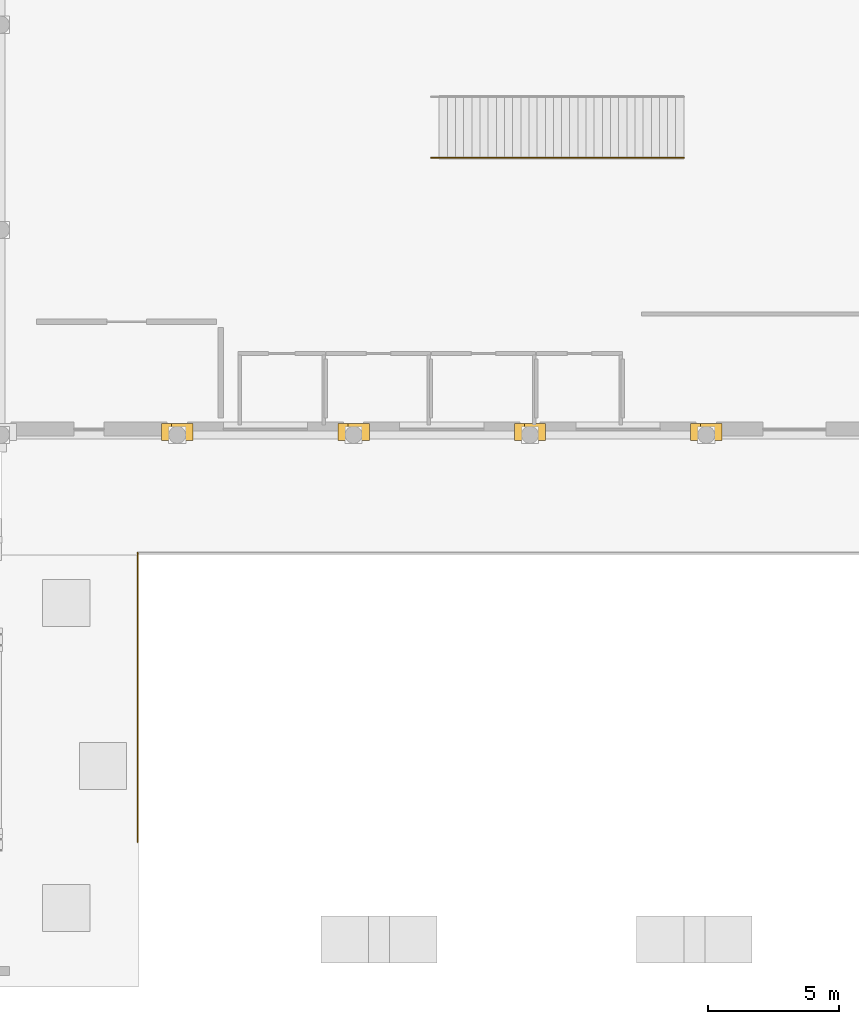
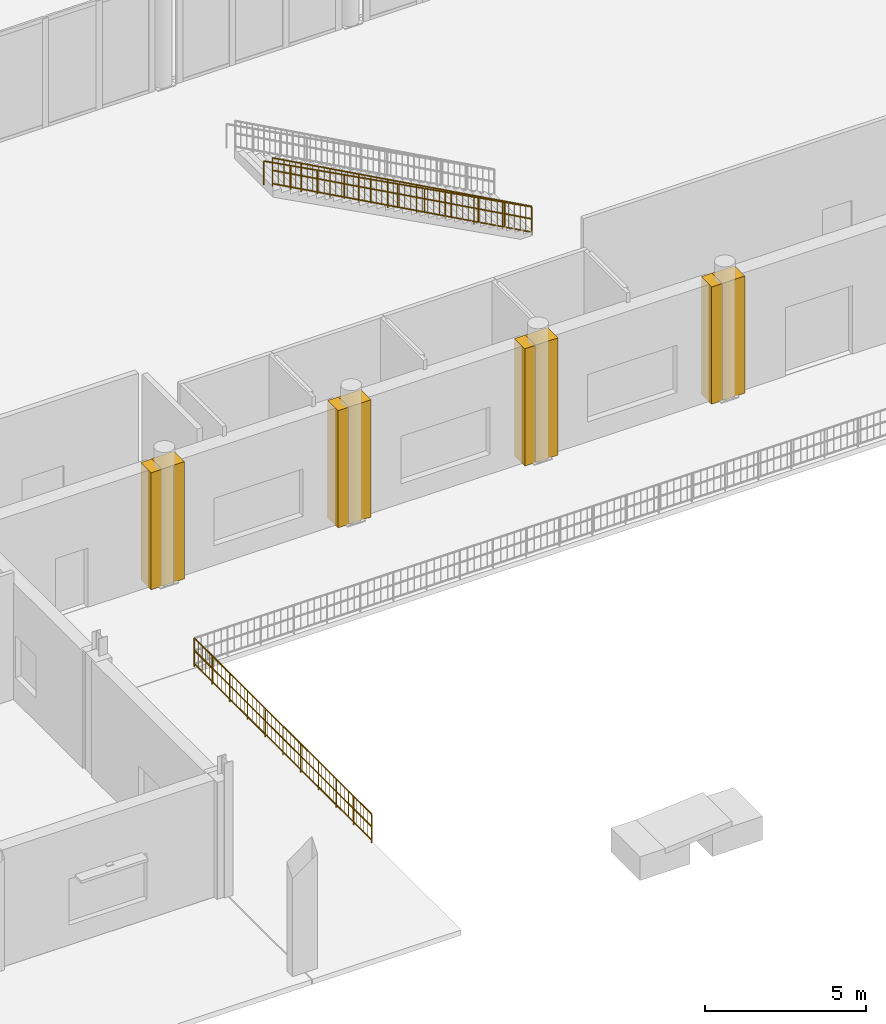
# One storey, part 70 of 80: 8 coverings, 3 railings.
"""IFC4 building model written with IfcOpenShell, lengths in metres."""

import ifcopenshell
import ifcopenshell.guid

model = None  # the IFC model being written
_history = None  # IfcOwnerHistory: only IFC2X3 demands one
_inside = {}  # id of a spatial element -> (the spatial element, [elements in it])
_under = {}  # id of a project, library or spatial element -> (it, [spatial elements below it])
_declared = {}  # id of a project -> (the project, [libraries it declares])
_typed = {}  # id of a type object -> (the type object, [elements of that type])
_made_of = {}  # id of a material, layer set ... -> (it, [elements and type objects made of it])


def new_model(schema):
    """Start an empty IFC model of exactly this schema.

    Asked for "IFC4X3", IfcOpenShell would pick the latest addendum, in which some entities
    have other attributes; the version numbers below select the first issue.
    IFC2X3 requires an IfcOwnerHistory on every rooted entity: one is made here for all.
    """
    global model, _history
    if schema == "IFC4X3":
        model = ifcopenshell.file(schema_version=(4, 3, 0, 0))
    else:
        model = ifcopenshell.file(schema=schema)
    _inside.clear()
    _under.clear()
    _declared.clear()
    _typed.clear()
    _made_of.clear()
    _history = None
    if model.schema == "IFC2X3":
        org = make("IfcOrganization", Name="unknown")
        user = make(
            "IfcPersonAndOrganization",
            ThePerson=make("IfcPerson", FamilyName="unknown"),
            TheOrganization=org,
        )
        app = make(
            "IfcApplication",
            ApplicationDeveloper=org,
            Version="unknown",
            ApplicationFullName="unknown",
            ApplicationIdentifier="unknown",
        )
        _history = make(
            "IfcOwnerHistory",
            OwningUser=user,
            OwningApplication=app,
            ChangeAction="ADDED",
            CreationDate=0,
        )
    return model


def make(cls, **values):
    """One entity of the class cls with the attributes given. An attribute that is None is left unset."""
    return model.create_entity(
        cls, **{name: value for name, value in values.items() if value is not None}
    )


def rooted(cls, **values):
    """An entity with a GlobalId (a new one), such as an element, a storey or a relation."""
    return make(cls, GlobalId=ifcopenshell.guid.new(), OwnerHistory=_history, **values)


def si_unit(unit_type, name, prefix=None):
    """IfcSIUnit, for example si_unit("LENGTHUNIT", "METRE", prefix="MILLI")."""
    return make("IfcSIUnit", UnitType=unit_type, Prefix=prefix, Name=name)


def assignment(units):
    """IfcUnitAssignment: the units of a project."""
    return None if units is None else make("IfcUnitAssignment", Units=units)


def point(xyz):
    """IfcCartesianPoint."""
    return None if xyz is None else make("IfcCartesianPoint", Coordinates=xyz)


def direction(xyz):
    """IfcDirection."""
    return None if xyz is None else make("IfcDirection", DirectionRatios=xyz)


def frame(location, z_axis=None, x_axis=None):
    """IfcAxis2Placement3D, a coordinate frame: its origin and axes. An axis left out is left unset."""
    return make(
        "IfcAxis2Placement3D",
        Location=point(location),
        Axis=direction(z_axis),
        RefDirection=direction(x_axis),
    )


def frame_2d(location, x_axis=None):
    """IfcAxis2Placement2D, a coordinate frame in the plane: its origin and x axis."""
    return make(
        "IfcAxis2Placement2D", Location=point(location), RefDirection=direction(x_axis)
    )


def origin():
    """The frame at (0, 0, 0) with its axes left unset."""
    return frame((0.0, 0.0, 0.0))


def origin_2d():
    """The frame at (0, 0) in the plane with its x axis left unset."""
    return frame_2d((0.0, 0.0))


def place(relative_to, where):
    """IfcLocalPlacement: puts the frame where relative to a parent placement (None: the world)."""
    return make(
        "IfcLocalPlacement", PlacementRelTo=relative_to, RelativePlacement=where
    )


def context(
    kind, dimensions, precision=None, world=None, true_north=None, identifier=None
):
    """IfcGeometricRepresentationContext, for example the 3D "Model" context."""
    return make(
        "IfcGeometricRepresentationContext",
        ContextIdentifier=identifier,
        ContextType=kind,
        CoordinateSpaceDimension=dimensions,
        Precision=precision,
        WorldCoordinateSystem=world,
        TrueNorth=true_north,
    )


def subcontext(parent, identifier, kind, view, scale=None):
    """IfcGeometricRepresentationSubContext, for example "Body" below "Model"."""
    return make(
        "IfcGeometricRepresentationSubContext",
        ContextIdentifier=identifier,
        ContextType=kind,
        ParentContext=parent,
        TargetScale=scale,
        TargetView=view,
    )


def project(units=None, contexts=None):
    """IfcProject with its units and contexts."""
    return rooted(
        "IfcProject",
        Name="project",
        RepresentationContexts=contexts,
        UnitsInContext=assignment(units),
    )


def spatial(cls, under=None, at=None, **own):
    """A site, building, storey or space (cls), placed at a placement, below another one or the project."""
    s = rooted(cls, ObjectPlacement=at, **own)
    if under is not None:
        _under.setdefault(under.id(), (under, []))[1].append(s)
    return s


def polyline(points):
    """IfcPolyline through the points."""
    return make("IfcPolyline", Points=[point(p) for p in points])


def profile(cls, at=None, kind="AREA", **sizes):
    """A parametric profile (cls). Its sizes go by their IFC names, for example OverallWidth=200.0."""
    return make(cls, ProfileType=kind, Position=at, **sizes)


def circle(**sizes):
    """IfcCircleProfileDef."""
    return profile("IfcCircleProfileDef", **sizes)


def outline(outer, holes=None, kind="AREA"):
    """IfcArbitraryClosedProfileDef: a profile drawn as a closed curve; with holes, ...WithVoids."""
    if holes is None:
        return make("IfcArbitraryClosedProfileDef", ProfileType=kind, OuterCurve=outer)
    return make(
        "IfcArbitraryProfileDefWithVoids",
        ProfileType=kind,
        OuterCurve=outer,
        InnerCurves=holes,
    )


def extrude(swept, where, along, depth):
    """IfcExtrudedAreaSolid: the profile swept, set in the frame where, extruded along a direction by depth."""
    return make(
        "IfcExtrudedAreaSolid",
        SweptArea=swept,
        Position=where,
        ExtrudedDirection=direction(along),
        Depth=depth,
    )


def shape(context_of_items, identifier, shape_type, items):
    """IfcShapeRepresentation: the items that make up one representation, for example the "Body"."""
    return make(
        "IfcShapeRepresentation",
        ContextOfItems=context_of_items,
        RepresentationIdentifier=identifier,
        RepresentationType=shape_type,
        Items=items,
    )


def material(Name=None, Category=None):
    """IfcMaterial."""
    return make("IfcMaterial", Name=Name, Category=Category)


def layer(
    of_material, thickness, ventilated=None, Name=None, Category=None, Priority=None
):
    """IfcMaterialLayer: one layer of a wall or slab, of a material (None: an air gap)."""
    return make(
        "IfcMaterialLayer",
        Material=of_material,
        LayerThickness=thickness,
        IsVentilated=ventilated,
        Name=Name,
        Category=Category,
        Priority=Priority,
    )


def layer_set(layers, Name=None):
    """IfcMaterialLayerSet."""
    return make("IfcMaterialLayerSet", MaterialLayers=layers, LayerSetName=Name)


def made_of(thing, what):
    """Note that an element or type object is made of a material, layer set ...; save() writes the relation."""
    if what is not None:
        _made_of.setdefault(what.id(), (what, []))[1].append(thing)
    return thing


def type_object(cls, material=None, **own):
    """A type object (cls), such as IfcWallType, which elements share."""
    return made_of(rooted(cls, **own), material)


def element(
    cls,
    number,
    at=None,
    inside=None,
    cuts=None,
    type_object=None,
    material=None,
    context=None,
    identifier="Body",
    shape_type=None,
    held_by="IfcProductDefinitionShape",
    body=None,
    shapes=None,
    **own,
):
    """One element of the class cls, such as IfcWall. Its Tag is "e" and its number.

    at: its placement. inside: the storey or other place that contains it. cuts: it is an
    opening in that element (IfcRelVoidsElement). A single representation is given by context,
    identifier, shape_type and body (its items); several are given by shapes. held_by: the class
    of the entity that holds the representations. save() writes the other relations.
    """
    e = rooted(cls, Tag="e%d" % number, ObjectPlacement=at, **own)
    if body is not None:
        shapes = [shape(context, identifier, shape_type, body)]
    if shapes is not None:
        e.Representation = make(held_by, Representations=shapes)
    if inside is not None:
        _inside.setdefault(inside.id(), (inside, []))[1].append(e)
    if cuts is not None:
        rooted(
            "IfcRelVoidsElement", RelatingBuildingElement=cuts, RelatedOpeningElement=e
        )
    if type_object is not None:
        _typed.setdefault(type_object.id(), (type_object, []))[1].append(e)
    return made_of(e, material)


def aggregate(whole, parts):
    """IfcRelAggregates: a whole, such as a stair, and the parts it consists of."""
    return rooted("IfcRelAggregates", RelatingObject=whole, RelatedObjects=parts)


def save(model, path):
    """Write the relations noted so far, then the file.

    IfcRelAggregates (storeys below a building ...), IfcRelContainedInSpatialStructure (elements
    in a storey), IfcRelDefinesByType, IfcRelAssociatesMaterial and IfcRelDeclares: one each for
    every whole, place, type object, material and project.
    """
    for whole, parts in _under.values():
        aggregate(whole, parts)
    for where, things in _inside.values():
        rooted(
            "IfcRelContainedInSpatialStructure",
            RelatedElements=things,
            RelatingStructure=where,
        )
    for kind, things in _typed.values():
        rooted("IfcRelDefinesByType", RelatedObjects=things, RelatingType=kind)
    for what, things in _made_of.values():
        rooted("IfcRelAssociatesMaterial", RelatedObjects=things, RelatingMaterial=what)
    for by, libraries in _declared.values():
        rooted("IfcRelDeclares", RelatingContext=by, RelatedDefinitions=libraries)
    model.write(path)


model = new_model("IFC4")

# Units and contexts
model_context = context("Model", 3, precision=1e-05, world=origin(), true_north=direction((0.0, 1.0)))
body_context = subcontext(model_context, "Body", "Model", "MODEL_VIEW")
ifc_project = project(units=[si_unit("LENGTHUNIT", "METRE"), si_unit("AREAUNIT", "SQUARE_METRE"), si_unit("VOLUMEUNIT", "CUBIC_METRE"), si_unit("PLANEANGLEUNIT", "RADIAN"), si_unit("MASSUNIT", "GRAM", prefix="KILO")], contexts=[model_context])

# Site, building, storey
site_placement = place(None, origin())
site = spatial("IfcSite", under=ifc_project, at=site_placement, CompositionType="ELEMENT")
building_placement = place(site_placement, origin())
building = spatial("IfcBuilding", under=site, at=building_placement, Name="Nabrawat Pavilion Hospital", CompositionType="ELEMENT")
storey_placement = place(building_placement, origin())
storey = spatial("IfcBuildingStorey", under=building, at=storey_placement, Name="L00", CompositionType="ELEMENT", Elevation=0.0)

# Coverings
ifc_material_1 = material(Name="Precast concrete C40/50", Category="concrete")
ifc_layer_1 = layer(ifc_material_1, 0.360107421875, Name="Precast concrete C40/50")
ifc_layer_set_1 = layer_set([ifc_layer_1], Name="Precast concrete C40/50")
covering_type = type_object("IfcCoveringType", Name="Architectural Precast Column-Jamb Closure Reveal", PredefinedType="CLADDING", material=ifc_layer_set_1)
covering_1_placement = place(storey_placement, origin())
element("IfcCovering", 1, at=covering_1_placement, inside=storey, type_object=covering_type, Name="L00 Precast Facade Column-Jamb Weatherseal Closure 0064", PredefinedType="CLADDING", context=body_context, shape_type="SweptSolid", body=[
    extrude(outline(polyline([(65.83935546875, 15.388671875), (65.83935546875, 16.03125), (65.03173828125, 16.03125), (65.03173828125, 15.388671875), (65.83935546875, 15.388671875)])), origin(), (0.0, 0.0, 1.0), 4.43994140625),
])
covering_2_placement = place(storey_placement, origin())
element("IfcCovering", 2, at=covering_2_placement, inside=storey, type_object=covering_type, Name="L00 Precast Facade Column-Jamb Weatherseal Closure 0065", PredefinedType="CLADDING", context=body_context, shape_type="SweptSolid", body=[
    extrude(outline(polyline([(66.224365234375, 15.388671875), (66.224365234375, 16.03125), (65.416748046875, 16.03125), (65.416748046875, 15.388671875), (66.224365234375, 15.388671875)])), origin(), (0.0, 0.0, 1.0), 4.449951171875),
])
covering_3_placement = place(storey_placement, origin())
element("IfcCovering", 3, at=covering_3_placement, inside=storey, type_object=covering_type, Name="L00 Precast Facade Column-Jamb Weatherseal Closure 0066", PredefinedType="CLADDING", context=body_context, shape_type="SweptSolid", body=[
    extrude(outline(polyline([(72.54736328125, 15.388671875), (72.54736328125, 16.03125), (71.73974609375, 16.03125), (71.73974609375, 15.388671875), (72.54736328125, 15.388671875)])), origin(), (0.0, 0.0, 1.0), 4.449951171875),
])
covering_4_placement = place(storey_placement, origin())
element("IfcCovering", 4, at=covering_4_placement, inside=storey, type_object=covering_type, Name="L00 Precast Facade Column-Jamb Weatherseal Closure 0067", PredefinedType="CLADDING", context=body_context, shape_type="SweptSolid", body=[
    extrude(outline(polyline([(72.932373046875, 15.388671875), (72.932373046875, 16.03125), (72.124755859375, 16.03125), (72.124755859375, 15.388671875), (72.932373046875, 15.388671875)])), origin(), (0.0, 0.0, 1.0), 4.449951171875),
])
covering_5_placement = place(storey_placement, origin())
element("IfcCovering", 5, at=covering_5_placement, inside=storey, type_object=covering_type, Name="L00 Precast Facade Column-Jamb Weatherseal Closure 0068", PredefinedType="CLADDING", context=body_context, shape_type="SweptSolid", body=[
    extrude(outline(polyline([(79.25537109375, 15.388671875), (79.25537109375, 16.03125), (78.44775390625, 16.03125), (78.44775390625, 15.388671875), (79.25537109375, 15.388671875)])), origin(), (0.0, 0.0, 1.0), 4.449951171875),
])
covering_6_placement = place(storey_placement, origin())
element("IfcCovering", 6, at=covering_6_placement, inside=storey, type_object=covering_type, Name="L00 Precast Facade Column-Jamb Weatherseal Closure 0069", PredefinedType="CLADDING", context=body_context, shape_type="SweptSolid", body=[
    extrude(outline(polyline([(79.640380859375, 15.388671875), (79.640380859375, 16.03125), (78.832763671875, 16.03125), (78.832763671875, 15.388671875), (79.640380859375, 15.388671875)])), origin(), (0.0, 0.0, 1.0), 4.449951171875),
])
covering_7_placement = place(storey_placement, origin())
element("IfcCovering", 7, at=covering_7_placement, inside=storey, type_object=covering_type, Name="L00 Precast Facade Column-Jamb Weatherseal Closure 0070", PredefinedType="CLADDING", context=body_context, shape_type="SweptSolid", body=[
    extrude(outline(polyline([(85.96337890625, 15.388671875), (85.96337890625, 16.03125), (85.15576171875, 16.03125), (85.15576171875, 15.388671875), (85.96337890625, 15.388671875)])), origin(), (0.0, 0.0, 1.0), 4.449951171875),
])
covering_8_placement = place(storey_placement, origin())
element("IfcCovering", 8, at=covering_8_placement, inside=storey, type_object=covering_type, Name="L00 Precast Facade Column-Jamb Weatherseal Closure 0071", PredefinedType="CLADDING", context=body_context, shape_type="SweptSolid", body=[
    extrude(outline(polyline([(86.348388671875, 15.388671875), (86.348388671875, 16.03125), (85.540771484375, 16.03125), (85.540771484375, 15.388671875), (86.348388671875, 15.388671875)])), origin(), (0.0, 0.0, 1.0), 4.449951171875),
])

# Railings
ifc_material_2 = material(Name="Stainless Steel 316", Category="steel")
ifc_layer_2 = layer(ifc_material_2, 0.070068359375, Name="Stainless Steel 316")
ifc_layer_set_2 = layer_set([ifc_layer_2], Name="Stainless Steel 316")
railing_type_1 = type_object("IfcRailingType", Name="Exterior Clinical Terrace Safety Guardrail 1100", PredefinedType="GUARDRAIL", material=ifc_layer_set_2)
railing_1_placement = place(storey_placement, frame((64.1201171875, 0.10009765625, 0.0)))
element("IfcRailing", 9, at=railing_1_placement, inside=storey, type_object=railing_type_1, Name="L00 Sunken Forecourt Overlook Guardrail West", PredefinedType="GUARDRAIL", context=body_context, shape_type="SweptSolid", body=[
    extrude(circle(Radius=0.02392578125, at=origin_2d()), frame((0.0, 0.0, 1.076171875), z_axis=(0.0, 1.0, 0.0), x_axis=(-1.0, 0.0, 0.0)), (0.0, 0.0, 1.0), 11.02001953125),
    extrude(circle(Radius=0.02392578125, at=origin_2d()), frame((0.0, 0.0, 0.10009765625), z_axis=(0.0, 1.0, 0.0), x_axis=(-1.0, 0.0, 0.0)), (0.0, 0.0, 1.0), 11.02001953125),
    extrude(circle(Radius=0.02392578125, at=origin_2d()), frame((0.0, 0.0, 0.60498046875), z_axis=(0.0, 1.0, 0.0), x_axis=(-1.0, 0.0, 0.0)), (0.0, 0.0, 1.0), 11.02001953125),
    extrude(circle(Radius=0.008056640625, at=origin_2d()), frame((0.0, 0.239501953125, 0.10009765625)), (0.0, 0.0, 1.0), 0.951904296875),
    extrude(circle(Radius=0.008056640625, at=origin_2d()), frame((0.0, 0.479248046875, 0.10009765625)), (0.0, 0.0, 1.0), 0.951904296875),
    extrude(circle(Radius=0.008056640625, at=origin_2d()), frame((0.0, 0.71875, 0.10009765625)), (0.0, 0.0, 1.0), 0.951904296875),
    extrude(circle(Radius=0.008056640625, at=origin_2d()), frame((0.0, 0.958251953125, 0.10009765625)), (0.0, 0.0, 1.0), 0.951904296875),
    extrude(circle(Radius=0.008056640625, at=origin_2d()), frame((0.0, 1.19775390625, 0.10009765625)), (0.0, 0.0, 1.0), 0.951904296875),
    extrude(circle(Radius=0.008056640625, at=origin_2d()), frame((0.0, 1.4375, 0.10009765625)), (0.0, 0.0, 1.0), 0.951904296875),
    extrude(circle(Radius=0.008056640625, at=origin_2d()), frame((0.0, 1.677001953125, 0.10009765625)), (0.0, 0.0, 1.0), 0.951904296875),
    extrude(circle(Radius=0.008056640625, at=origin_2d()), frame((0.0, 1.91650390625, 0.10009765625)), (0.0, 0.0, 1.0), 0.951904296875),
    extrude(circle(Radius=0.008056640625, at=origin_2d()), frame((0.0, 2.395751953125, 0.10009765625)), (0.0, 0.0, 1.0), 0.951904296875),
    extrude(circle(Radius=0.008056640625, at=origin_2d()), frame((0.0, 2.63525390625, 0.10009765625)), (0.0, 0.0, 1.0), 0.951904296875),
    extrude(circle(Radius=0.008056640625, at=origin_2d()), frame((0.0, 2.874755859375, 0.10009765625)), (0.0, 0.0, 1.0), 0.951904296875),
    extrude(circle(Radius=0.008056640625, at=origin_2d()), frame((0.0, 3.1142578125, 0.10009765625)), (0.0, 0.0, 1.0), 0.951904296875),
    extrude(circle(Radius=0.008056640625, at=origin_2d()), frame((0.0, 3.593505859375, 0.10009765625)), (0.0, 0.0, 1.0), 0.951904296875),
    extrude(circle(Radius=0.008056640625, at=origin_2d()), frame((0.0, 3.8330078125, 0.10009765625)), (0.0, 0.0, 1.0), 0.951904296875),
    extrude(circle(Radius=0.008056640625, at=origin_2d()), frame((0.0, 4.072509765625, 0.10009765625)), (0.0, 0.0, 1.0), 0.951904296875),
    extrude(circle(Radius=0.008056640625, at=origin_2d()), frame((0.0, 4.312255859375, 0.10009765625)), (0.0, 0.0, 1.0), 0.951904296875),
    extrude(circle(Radius=0.008056640625, at=origin_2d()), frame((0.0, 4.5517578125, 0.10009765625)), (0.0, 0.0, 1.0), 0.951904296875),
    extrude(circle(Radius=0.008056640625, at=origin_2d()), frame((0.0, 4.791259765625, 0.10009765625)), (0.0, 0.0, 1.0), 0.951904296875),
    extrude(circle(Radius=0.008056640625, at=origin_2d()), frame((0.0, 5.03076171875, 0.10009765625)), (0.0, 0.0, 1.0), 0.951904296875),
    extrude(circle(Radius=0.008056640625, at=origin_2d()), frame((0.0, 5.2705078125, 0.10009765625)), (0.0, 0.0, 1.0), 0.951904296875),
    extrude(circle(Radius=0.008056640625, at=origin_2d()), frame((0.0, 5.74951171875, 0.10009765625)), (0.0, 0.0, 1.0), 0.951904296875),
    extrude(circle(Radius=0.008056640625, at=origin_2d()), frame((0.0, 5.9892578125, 0.10009765625)), (0.0, 0.0, 1.0), 0.951904296875),
    extrude(circle(Radius=0.008056640625, at=origin_2d()), frame((0.0, 6.228759765625, 0.10009765625)), (0.0, 0.0, 1.0), 0.951904296875),
    extrude(circle(Radius=0.008056640625, at=origin_2d()), frame((0.0, 6.46826171875, 0.10009765625)), (0.0, 0.0, 1.0), 0.951904296875),
    extrude(circle(Radius=0.008056640625, at=origin_2d()), frame((0.0, 6.707763671875, 0.10009765625)), (0.0, 0.0, 1.0), 0.951904296875),
    extrude(circle(Radius=0.008056640625, at=origin_2d()), frame((0.0, 6.947509765625, 0.10009765625)), (0.0, 0.0, 1.0), 0.951904296875),
    extrude(circle(Radius=0.008056640625, at=origin_2d()), frame((0.0, 7.18701171875, 0.10009765625)), (0.0, 0.0, 1.0), 0.951904296875),
    extrude(circle(Radius=0.008056640625, at=origin_2d()), frame((0.0, 7.426513671875, 0.10009765625)), (0.0, 0.0, 1.0), 0.951904296875),
    extrude(circle(Radius=0.008056640625, at=origin_2d()), frame((0.0, 7.90576171875, 0.10009765625)), (0.0, 0.0, 1.0), 0.951904296875),
    extrude(circle(Radius=0.008056640625, at=origin_2d()), frame((0.0, 8.145263671875, 0.10009765625)), (0.0, 0.0, 1.0), 0.951904296875),
    extrude(circle(Radius=0.008056640625, at=origin_2d()), frame((0.0, 8.384765625, 0.10009765625)), (0.0, 0.0, 1.0), 0.951904296875),
    extrude(circle(Radius=0.008056640625, at=origin_2d()), frame((0.0, 8.624267578125, 0.10009765625)), (0.0, 0.0, 1.0), 0.951904296875),
    extrude(circle(Radius=0.008056640625, at=origin_2d()), frame((0.0, 9.103515625, 0.10009765625)), (0.0, 0.0, 1.0), 0.951904296875),
    extrude(circle(Radius=0.008056640625, at=origin_2d()), frame((0.0, 9.343017578125, 0.10009765625)), (0.0, 0.0, 1.0), 0.951904296875),
    extrude(circle(Radius=0.008056640625, at=origin_2d()), frame((0.0, 9.58251953125, 0.10009765625)), (0.0, 0.0, 1.0), 0.951904296875),
    extrude(circle(Radius=0.008056640625, at=origin_2d()), frame((0.0, 9.822265625, 0.10009765625)), (0.0, 0.0, 1.0), 0.951904296875),
    extrude(circle(Radius=0.008056640625, at=origin_2d()), frame((0.0, 10.061767578125, 0.10009765625)), (0.0, 0.0, 1.0), 0.951904296875),
    extrude(circle(Radius=0.008056640625, at=origin_2d()), frame((0.0, 10.30126953125, 0.10009765625)), (0.0, 0.0, 1.0), 0.951904296875),
    extrude(circle(Radius=0.008056640625, at=origin_2d()), frame((0.0, 10.540771484375, 0.10009765625)), (0.0, 0.0, 1.0), 0.951904296875),
    extrude(circle(Radius=0.008056640625, at=origin_2d()), frame((0.0, 10.780517578125, 0.10009765625)), (0.0, 0.0, 1.0), 0.951904296875),
    extrude(circle(Radius=0.02099609375, at=origin_2d()), origin(), (0.0, 0.0, 1.0), 1.052001953125),
    extrude(circle(Radius=0.02099609375, at=origin_2d()), frame((0.0, 1.10205078125, 0.0)), (0.0, 0.0, 1.0), 1.052001953125),
    extrude(circle(Radius=0.02099609375, at=origin_2d()), frame((0.0, 2.2041015625, 0.0)), (0.0, 0.0, 1.0), 1.052001953125),
    extrude(circle(Radius=0.02099609375, at=origin_2d()), frame((0.0, 3.305908203125, 0.0)), (0.0, 0.0, 1.0), 1.052001953125),
    extrude(circle(Radius=0.02099609375, at=origin_2d()), frame((0.0, 4.407958984375, 0.0)), (0.0, 0.0, 1.0), 1.052001953125),
    extrude(circle(Radius=0.02099609375, at=origin_2d()), frame((0.0, 5.510009765625, 0.0)), (0.0, 0.0, 1.0), 1.052001953125),
    extrude(circle(Radius=0.02099609375, at=origin_2d()), frame((0.0, 6.612060546875, 0.0)), (0.0, 0.0, 1.0), 1.052001953125),
    extrude(circle(Radius=0.02099609375, at=origin_2d()), frame((0.0, 7.714111328125, 0.0)), (0.0, 0.0, 1.0), 1.052001953125),
    extrude(circle(Radius=0.02099609375, at=origin_2d()), frame((0.0, 8.81591796875, 0.0)), (0.0, 0.0, 1.0), 1.052001953125),
    extrude(circle(Radius=0.02099609375, at=origin_2d()), frame((0.0, 9.91796875, 0.0)), (0.0, 0.0, 1.0), 1.052001953125),
    extrude(circle(Radius=0.02099609375, at=origin_2d()), frame((0.0, 11.02001953125, 0.0)), (0.0, 0.0, 1.0), 1.052001953125),
])
ifc_layer_3 = layer(ifc_material_2, 0.050048828125, Name="Stainless Steel 316")
ifc_layer_set_3 = layer_set([ifc_layer_3], Name="Stainless Steel 316")
railing_type_2 = type_object("IfcRailingType", Name="Stair Open-Well Safety Guardrail 1100", PredefinedType="GUARDRAIL", material=ifc_layer_set_3)
railing_2_placement = place(storey_placement, frame((84.89990234375, 26.139892578125, 0.0)))
element("IfcRailing", 10, at=railing_2_placement, inside=storey, type_object=railing_type_2, Name="L00 Main Concourse Monumental Gallery Stair Open-Edge Guardrail L", PredefinedType="GUARDRAIL", context=body_context, shape_type="SweptSolid", body=[
    extrude(circle(Radius=0.02392578125, at=origin_2d()), frame((0.0, 0.0, 1.076171875), z_axis=(-0.876915962566, 0.0, 0.480643729384), x_axis=(0.0, -1.0, 0.0)), (0.0, 0.0, 1.0), 10.611083984375),
    extrude(circle(Radius=0.02392578125, at=origin_2d()), frame((0.0, 0.0, 0.10009765625), z_axis=(-0.876915962566, 0.0, 0.480643729384), x_axis=(0.0, -1.0, 0.0)), (0.0, 0.0, 1.0), 10.611083984375),
    extrude(circle(Radius=0.02392578125, at=origin_2d()), frame((0.0, 0.0, 0.60498046875), z_axis=(-0.876915962566, 0.0, 0.480643729384), x_axis=(0.0, -1.0, 0.0)), (0.0, 0.0, 1.0), 10.611083984375),
    extrude(circle(Radius=0.008056640625, at=origin_2d()), frame((-0.206787109375, 0.0, 0.21337890625)), (0.0, 0.0, 1.0), 0.951904296875),
    extrude(circle(Radius=0.008056640625, at=origin_2d()), frame((-0.41357421875, 0.0, 0.32666015625)), (0.0, 0.0, 1.0), 0.951904296875),
    extrude(circle(Radius=0.008056640625, at=origin_2d()), frame((-0.620361328125, 0.0, 0.43994140625)), (0.0, 0.0, 1.0), 0.951904296875),
    extrude(circle(Radius=0.008056640625, at=origin_2d()), frame((-0.8271484375, 0.0, 0.55322265625)), (0.0, 0.0, 1.0), 0.951904296875),
    extrude(circle(Radius=0.008056640625, at=origin_2d()), frame((-1.24072265625, 0.0, 0.780029296875)), (0.0, 0.0, 1.0), 0.951904296875),
    extrude(circle(Radius=0.008056640625, at=origin_2d()), frame((-1.447509765625, 0.0, 0.893310546875)), (0.0, 0.0, 1.0), 0.951904296875),
    extrude(circle(Radius=0.008056640625, at=origin_2d()), frame((-1.654296875, 0.0, 1.006591796875)), (0.0, 0.0, 1.0), 0.951904296875),
    extrude(circle(Radius=0.008056640625, at=origin_2d()), frame((-1.861083984375, 0.0, 1.1201171875)), (0.0, 0.0, 1.0), 0.951904296875),
    extrude(circle(Radius=0.008056640625, at=origin_2d()), frame((-2.274658203125, 0.0, 1.3466796875)), (0.0, 0.0, 1.0), 0.951904296875),
    extrude(circle(Radius=0.008056640625, at=origin_2d()), frame((-2.481201171875, 0.0, 1.4599609375)), (0.0, 0.0, 1.0), 0.951904296875),
    extrude(circle(Radius=0.008056640625, at=origin_2d()), frame((-2.68798828125, 0.0, 1.5732421875)), (0.0, 0.0, 1.0), 0.951904296875),
    extrude(circle(Radius=0.008056640625, at=origin_2d()), frame((-2.894775390625, 0.0, 1.686767578125)), (0.0, 0.0, 1.0), 0.951904296875),
    extrude(circle(Radius=0.008056640625, at=origin_2d()), frame((-3.308349609375, 0.0, 1.913330078125)), (0.0, 0.0, 1.0), 0.951904296875),
    extrude(circle(Radius=0.008056640625, at=origin_2d()), frame((-3.51513671875, 0.0, 2.026611328125)), (0.0, 0.0, 1.0), 0.951904296875),
    extrude(circle(Radius=0.008056640625, at=origin_2d()), frame((-3.721923828125, 0.0, 2.14013671875)), (0.0, 0.0, 1.0), 0.951904296875),
    extrude(circle(Radius=0.008056640625, at=origin_2d()), frame((-3.9287109375, 0.0, 2.25341796875)), (0.0, 0.0, 1.0), 0.951904296875),
    extrude(circle(Radius=0.008056640625, at=origin_2d()), frame((-4.34228515625, 0.0, 2.47998046875)), (0.0, 0.0, 1.0), 0.951904296875),
    extrude(circle(Radius=0.008056640625, at=origin_2d()), frame((-4.549072265625, 0.0, 2.59326171875)), (0.0, 0.0, 1.0), 0.951904296875),
    extrude(circle(Radius=0.008056640625, at=origin_2d()), frame((-4.755859375, 0.0, 2.706787109375)), (0.0, 0.0, 1.0), 0.951904296875),
    extrude(circle(Radius=0.008056640625, at=origin_2d()), frame((-4.962646484375, 0.0, 2.820068359375)), (0.0, 0.0, 1.0), 0.951904296875),
    extrude(circle(Radius=0.008056640625, at=origin_2d()), frame((-5.376220703125, 0.0, 3.046630859375)), (0.0, 0.0, 1.0), 0.951904296875),
    extrude(circle(Radius=0.008056640625, at=origin_2d()), frame((-5.5830078125, 0.0, 3.16015625)), (0.0, 0.0, 1.0), 0.951904296875),
    extrude(circle(Radius=0.008056640625, at=origin_2d()), frame((-5.789794921875, 0.0, 3.2734375)), (0.0, 0.0, 1.0), 0.951904296875),
    extrude(circle(Radius=0.008056640625, at=origin_2d()), frame((-5.99658203125, 0.0, 3.38671875)), (0.0, 0.0, 1.0), 0.951904296875),
    extrude(circle(Radius=0.008056640625, at=origin_2d()), frame((-6.41015625, 0.0, 3.61328125)), (0.0, 0.0, 1.0), 0.951904296875),
    extrude(circle(Radius=0.008056640625, at=origin_2d()), frame((-6.616943359375, 0.0, 3.726806640625)), (0.0, 0.0, 1.0), 0.951904296875),
    extrude(circle(Radius=0.008056640625, at=origin_2d()), frame((-6.82373046875, 0.0, 3.840087890625)), (0.0, 0.0, 1.0), 0.951904296875),
    extrude(circle(Radius=0.008056640625, at=origin_2d()), frame((-7.0302734375, 0.0, 3.953369140625)), (0.0, 0.0, 1.0), 0.951904296875),
    extrude(circle(Radius=0.008056640625, at=origin_2d()), frame((-7.44384765625, 0.0, 4.18017578125)), (0.0, 0.0, 1.0), 0.951904296875),
    extrude(circle(Radius=0.008056640625, at=origin_2d()), frame((-7.650634765625, 0.0, 4.29345703125)), (0.0, 0.0, 1.0), 0.951904296875),
    extrude(circle(Radius=0.008056640625, at=origin_2d()), frame((-7.857421875, 0.0, 4.40673828125)), (0.0, 0.0, 1.0), 0.951904296875),
    extrude(circle(Radius=0.008056640625, at=origin_2d()), frame((-8.064208984375, 0.0, 4.52001953125)), (0.0, 0.0, 1.0), 0.951904296875),
    extrude(circle(Radius=0.008056640625, at=origin_2d()), frame((-8.477783203125, 0.0, 4.746826171875)), (0.0, 0.0, 1.0), 0.951904296875),
    extrude(circle(Radius=0.008056640625, at=origin_2d()), frame((-8.6845703125, 0.0, 4.860107421875)), (0.0, 0.0, 1.0), 0.951904296875),
    extrude(circle(Radius=0.008056640625, at=origin_2d()), frame((-8.891357421875, 0.0, 4.973388671875)), (0.0, 0.0, 1.0), 0.951904296875),
    extrude(circle(Radius=0.008056640625, at=origin_2d()), frame((-9.09814453125, 0.0, 5.086669921875)), (0.0, 0.0, 1.0), 0.951904296875),
    extrude(circle(Radius=0.02099609375, at=origin_2d()), origin(), (0.0, 0.0, 1.0), 1.052001953125),
    extrude(circle(Radius=0.02099609375, at=origin_2d()), frame((-1.033935546875, 0.0, 0.566650390625)), (0.0, 0.0, 1.0), 1.052001953125),
    extrude(circle(Radius=0.02099609375, at=origin_2d()), frame((-2.06787109375, 0.0, 1.13330078125)), (0.0, 0.0, 1.0), 1.052001953125),
    extrude(circle(Radius=0.02099609375, at=origin_2d()), frame((-3.1015625, 0.0, 1.699951171875)), (0.0, 0.0, 1.0), 1.052001953125),
    extrude(circle(Radius=0.02099609375, at=origin_2d()), frame((-4.135498046875, 0.0, 2.2666015625)), (0.0, 0.0, 1.0), 1.052001953125),
    extrude(circle(Radius=0.02099609375, at=origin_2d()), frame((-5.16943359375, 0.0, 2.83349609375)), (0.0, 0.0, 1.0), 1.052001953125),
    extrude(circle(Radius=0.02099609375, at=origin_2d()), frame((-6.203369140625, 0.0, 3.400146484375)), (0.0, 0.0, 1.0), 1.052001953125),
    extrude(circle(Radius=0.02099609375, at=origin_2d()), frame((-7.237060546875, 0.0, 3.966796875)), (0.0, 0.0, 1.0), 1.052001953125),
    extrude(circle(Radius=0.02099609375, at=origin_2d()), frame((-8.27099609375, 0.0, 4.533447265625)), (0.0, 0.0, 1.0), 1.052001953125),
    extrude(circle(Radius=0.02099609375, at=origin_2d()), frame((-9.304931640625, 0.0, 5.10009765625)), (0.0, 0.0, 1.0), 1.052001953125),
])
ifc_layer_4 = layer(ifc_material_2, 0.044921875, Name="Stainless Steel 316")
ifc_layer_set_4 = layer_set([ifc_layer_4], Name="Stainless Steel 316")
railing_type_3 = type_object("IfcRailingType", Name="Stair Pitch Continuous Handrail 920", PredefinedType="HANDRAIL", material=ifc_layer_set_4)
railing_3_placement = place(storey_placement, frame((84.89990234375, 26.139892578125, 0.167236328125)))
element("IfcRailing", 11, at=railing_3_placement, inside=storey, type_object=railing_type_3, Name="L00 Main Concourse Monumental Gallery Stair Handrail L", PredefinedType="HANDRAIL", context=body_context, shape_type="SweptSolid", body=[
    extrude(circle(Radius=0.02392578125, at=origin_2d()), frame((0.0, 0.0, 0.89599609375), z_axis=(-0.88341497201, 0.0, 0.468591492911), x_axis=(0.0, -1.0, 0.0)), (0.0, 0.0, 1.0), 10.8837890625),
    extrude(circle(Radius=0.02099609375, at=origin_2d()), origin(), (0.0, 0.0, 1.0), 0.871826171875),
    extrude(circle(Radius=0.02099609375, at=origin_2d()), frame((-0.96142578125, 0.0, 0.510009765625)), (0.0, 0.0, 1.0), 0.871826171875),
    extrude(circle(Radius=0.02099609375, at=origin_2d()), frame((-1.923095703125, 0.0, 1.02001953125)), (0.0, 0.0, 1.0), 0.871826171875),
    extrude(circle(Radius=0.02099609375, at=origin_2d()), frame((-2.884521484375, 0.0, 1.530029296875)), (0.0, 0.0, 1.0), 0.871826171875),
    extrude(circle(Radius=0.02099609375, at=origin_2d()), frame((-3.845947265625, 0.0, 2.0400390625)), (0.0, 0.0, 1.0), 0.871826171875),
    extrude(circle(Radius=0.02099609375, at=origin_2d()), frame((-4.8076171875, 0.0, 2.550048828125)), (0.0, 0.0, 1.0), 0.871826171875),
    extrude(circle(Radius=0.02099609375, at=origin_2d()), frame((-5.76904296875, 0.0, 3.06005859375)), (0.0, 0.0, 1.0), 0.871826171875),
    extrude(circle(Radius=0.02099609375, at=origin_2d()), frame((-6.73046875, 0.0, 3.570068359375)), (0.0, 0.0, 1.0), 0.871826171875),
    extrude(circle(Radius=0.02099609375, at=origin_2d()), frame((-7.69189453125, 0.0, 4.080078125)), (0.0, 0.0, 1.0), 0.871826171875),
    extrude(circle(Radius=0.02099609375, at=origin_2d()), frame((-8.653564453125, 0.0, 4.590087890625)), (0.0, 0.0, 1.0), 0.871826171875),
    extrude(circle(Radius=0.02099609375, at=origin_2d()), frame((-9.614990234375, 0.0, 5.10009765625)), (0.0, 0.0, 1.0), 0.871826171875),
])

save(model, "model.ifc")
